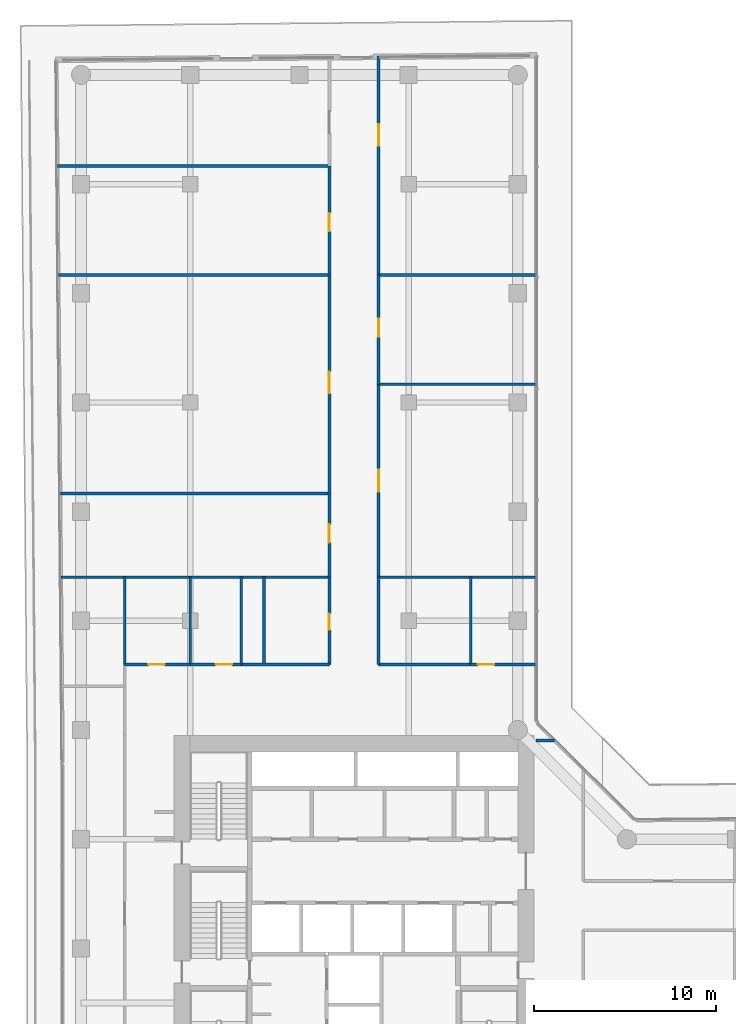
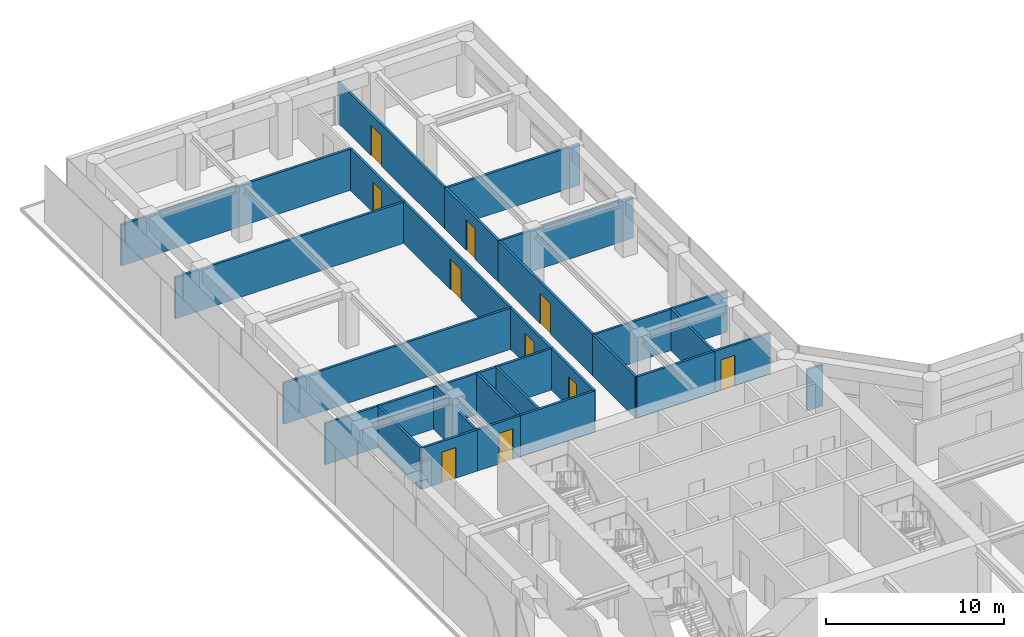
# One storey, part 24 of 28: 26 walls, 10 doors, 10 openings.
"""IFC4 building model written with IfcOpenShell, lengths in metres."""

from ifc_helpers import new_model, si_unit, direction, frame, frame_2d, origin, place, context, subcontext, project, spatial, rectangle, extrude, material, layer, layer_set, type_object, element, fill, save


model = new_model("IFC4")

# Units and contexts
model_context = context("Model", 3, precision=1e-05, world=origin(), true_north=direction((0.0, 1.0)))
body_context = subcontext(model_context, "Body", "Model", "MODEL_VIEW")
ifc_project = project(units=[si_unit("LENGTHUNIT", "METRE"), si_unit("AREAUNIT", "SQUARE_METRE"), si_unit("VOLUMEUNIT", "CUBIC_METRE"), si_unit("PLANEANGLEUNIT", "RADIAN"), si_unit("MASSUNIT", "GRAM", prefix="KILO")], contexts=[model_context])

# Site, building, storey
site_placement = place(None, origin())
site = spatial("IfcSite", under=ifc_project, at=site_placement, CompositionType="ELEMENT")
building_placement = place(site_placement, origin())
building = spatial("IfcBuilding", under=site, at=building_placement, Name="Welwitschia Terrace Campus", CompositionType="ELEMENT")
storey_placement = place(building_placement, frame((0.0, 0.0, 54.199951171875)))
storey = spatial("IfcBuildingStorey", under=building, at=storey_placement, Name="L12", CompositionType="ELEMENT", Elevation=54.199951171875)

# Walls
ifc_material_1 = material(Name="Gypsum board on steel studs", Category="steel")
ifc_layer = layer(ifc_material_1, 0.14990234375)
ifc_layer_set = layer_set([ifc_layer], Name="Gypsum board on steel studs")
wall_type = type_object("IfcWallType", Name="Corridor partition 150 EI 30", PredefinedType="PARTITIONING", material=ifc_layer_set)
wall_1_placement = place(storey_placement, frame((-1.2900390625, 57.0, 0.0), z_axis=(0.0, 0.0, 1.0), x_axis=(1.0, 0.0, 0.0)))
element("IfcWall", 1, at=wall_1_placement, inside=storey, type_object=wall_type, Name="Partition", PredefinedType="PARTITIONING", context=body_context, shape_type="SweptSolid", body=[
    extrude(rectangle(XDim=14.93994140625, YDim=0.14990234375, at=frame_2d((7.469970703125, 0.0))), origin(), (0.0, 0.0, 1.0), 2.830078125),
])
wall_2_placement = place(storey_placement, frame((-1.239990234375, 51.0, 0.0), z_axis=(0.0, 0.0, 1.0), x_axis=(1.0, 0.0, 0.0)))
element("IfcWall", 2, at=wall_2_placement, inside=storey, type_object=wall_type, Name="Partition", PredefinedType="PARTITIONING", context=body_context, shape_type="SweptSolid", body=[
    extrude(rectangle(XDim=14.889892578125, YDim=0.14990234375, at=frame_2d((7.44482421875, 0.0))), origin(), (0.0, 0.0, 1.0), 2.830078125),
])
wall_3_placement = place(storey_placement, frame((-1.139892578125, 39.0, 0.0), z_axis=(0.0, 0.0, 1.0), x_axis=(1.0, 0.0, 0.0)))
element("IfcWall", 3, at=wall_3_placement, inside=storey, type_object=wall_type, Name="Partition", PredefinedType="PARTITIONING", context=body_context, shape_type="SweptSolid", body=[
    extrude(rectangle(XDim=14.789794921875, YDim=0.14990234375, at=frame_2d((7.39501953125, 0.0))), origin(), (0.0, 0.0, 1.0), 2.830078125),
])
wall_4_placement = place(storey_placement, frame((-1.10009765625, 34.39990234375, 0.0), z_axis=(0.0, 0.0, 1.0), x_axis=(1.0, 0.0, 0.0)))
element("IfcWall", 4, at=wall_4_placement, inside=storey, type_object=wall_type, Name="Partition", PredefinedType="PARTITIONING", context=body_context, shape_type="SweptSolid", body=[
    extrude(rectangle(XDim=14.75, YDim=0.14990234375, at=frame_2d((7.375, 0.0))), origin(), (0.0, 0.0, 1.0), 2.830078125),
])
wall_5_placement = place(storey_placement, frame((2.39990234375, 29.60009765625, 0.0), z_axis=(0.0, 0.0, 1.0), x_axis=(0.0, 1.0, 0.0)))
element("IfcWall", 5, at=wall_5_placement, inside=storey, type_object=wall_type, Name="Partition", PredefinedType="PARTITIONING", context=body_context, shape_type="SweptSolid", body=[
    extrude(rectangle(XDim=4.7998046875, YDim=0.14990234375, at=frame_2d((2.39990234375, 0.0))), origin(), (0.0, 0.0, 1.0), 2.830078125),
])

# Wall, opening, door
wall_6_placement = place(storey_placement, frame((2.39990234375, 29.60009765625, 0.0), z_axis=(0.0, 0.0, 1.0), x_axis=(1.0, 0.0, 0.0)))
wall_6 = element("IfcWall", 6, at=wall_6_placement, inside=storey, type_object=wall_type, Name="Partition", PredefinedType="PARTITIONING", context=body_context, shape_type="SweptSolid", body=[
    extrude(rectangle(XDim=3.60009765625, YDim=0.14990234375, at=frame_2d((1.800048828125, 0.0))), origin(), (0.0, 0.0, 1.0), 2.830078125),
])
opening_1_placement = place(wall_6_placement, frame((1.300048828125, 0.0, 0.0)))
opening_1 = element("IfcOpeningElement", 7, at=opening_1_placement, cuts=wall_6, Name="Opening DI09", PredefinedType="OPENING", context=body_context, shape_type="SweptSolid", body=[
    extrude(rectangle(XDim=0.89990234375, YDim=2.10009765625, at=frame_2d((0.449951171875, 1.050048828125))), frame((0.0, 0.0849609375, 0.0), z_axis=(0.0, -1.0, 0.0), x_axis=(1.0, 0.0, 0.0)), (0.0, 0.0, 1.0), 0.169921875),
])
ifc_material_2 = material(Name="Timber veneered door", Category="wood")
door_type_1 = type_object("IfcDoorType", Name="Interior door DI09", OperationType="NOTDEFINED", PredefinedType="DOOR", material=ifc_material_2)
door_1_placement = place(opening_1_placement, origin())
door_1 = element("IfcDoor", 8, at=door_1_placement, inside=storey, type_object=door_type_1, Name="Door L12 268", OperationType="SINGLE_SWING_LEFT", OverallHeight=2.10009765625, OverallWidth=0.89990234375, PredefinedType="DOOR", context=body_context, shape_type="SweptSolid", body=[
    extrude(rectangle(XDim=0.89990234375, YDim=2.10009765625, at=frame_2d((0.449951171875, 1.050048828125))), frame((0.0, 0.02490234375, 0.0), z_axis=(0.0, -1.0, 0.0), x_axis=(1.0, 0.0, 0.0)), (0.0, 0.0, 1.0), 0.050048828125),
])
fill(opening_1, door_1)

# Wall
wall_7_placement = place(storey_placement, frame((6.0, 29.60009765625, 0.0), z_axis=(0.0, 0.0, 1.0), x_axis=(0.0, 1.0, 0.0)))
element("IfcWall", 9, at=wall_7_placement, inside=storey, type_object=wall_type, Name="Partition", PredefinedType="PARTITIONING", context=body_context, shape_type="SweptSolid", body=[
    extrude(rectangle(XDim=4.7998046875, YDim=0.14990234375, at=frame_2d((2.39990234375, 0.0))), origin(), (0.0, 0.0, 1.0), 2.830078125),
])

# Wall, opening, door
wall_8_placement = place(storey_placement, frame((6.0, 29.60009765625, 0.0), z_axis=(0.0, 0.0, 1.0), x_axis=(1.0, 0.0, 0.0)))
wall_8 = element("IfcWall", 10, at=wall_8_placement, inside=storey, type_object=wall_type, Name="Partition", PredefinedType="PARTITIONING", context=body_context, shape_type="SweptSolid", body=[
    extrude(rectangle(XDim=2.800048828125, YDim=0.14990234375, at=frame_2d((1.39990234375, 0.0))), origin(), (0.0, 0.0, 1.0), 2.830078125),
])
opening_2_placement = place(wall_8_placement, frame((1.39990234375, 0.0, 0.0)))
opening_2 = element("IfcOpeningElement", 11, at=opening_2_placement, cuts=wall_8, Name="Opening DI09", PredefinedType="OPENING", context=body_context, shape_type="SweptSolid", body=[
    extrude(rectangle(XDim=0.89990234375, YDim=2.10009765625, at=frame_2d((0.449951171875, 1.050048828125))), frame((0.0, 0.0849609375, 0.0), z_axis=(0.0, -1.0, 0.0), x_axis=(1.0, 0.0, 0.0)), (0.0, 0.0, 1.0), 0.169921875),
])
door_2_placement = place(opening_2_placement, origin())
door_2 = element("IfcDoor", 12, at=door_2_placement, inside=storey, type_object=door_type_1, Name="Door L12 269", OperationType="SINGLE_SWING_RIGHT", OverallHeight=2.10009765625, OverallWidth=0.89990234375, PredefinedType="DOOR", context=body_context, shape_type="SweptSolid", body=[
    extrude(rectangle(XDim=0.89990234375, YDim=2.10009765625, at=frame_2d((0.449951171875, 1.050048828125))), frame((0.0, 0.02490234375, 0.0), z_axis=(0.0, -1.0, 0.0), x_axis=(1.0, 0.0, 0.0)), (0.0, 0.0, 1.0), 0.050048828125),
])
fill(opening_2, door_2)

# Walls
wall_9_placement = place(storey_placement, frame((8.800048828125, 29.60009765625, 0.0), z_axis=(0.0, 0.0, 1.0), x_axis=(0.0, 1.0, 0.0)))
element("IfcWall", 13, at=wall_9_placement, inside=storey, type_object=wall_type, Name="Partition", PredefinedType="PARTITIONING", context=body_context, shape_type="SweptSolid", body=[
    extrude(rectangle(XDim=4.7998046875, YDim=0.14990234375, at=frame_2d((2.39990234375, 0.0))), origin(), (0.0, 0.0, 1.0), 2.830078125),
])
wall_10_placement = place(storey_placement, frame((8.800048828125, 29.60009765625, 0.0), z_axis=(0.0, 0.0, 1.0), x_axis=(1.0, 0.0, 0.0)))
element("IfcWall", 14, at=wall_10_placement, inside=storey, type_object=wall_type, Name="Partition", PredefinedType="PARTITIONING", context=body_context, shape_type="SweptSolid", body=[
    extrude(rectangle(XDim=4.849853515625, YDim=0.14990234375, at=frame_2d((2.4248046875, 0.0))), origin(), (0.0, 0.0, 1.0), 2.830078125),
])
wall_11_placement = place(storey_placement, frame((10.050048828125, 29.60009765625, 0.0), z_axis=(0.0, 0.0, 1.0), x_axis=(0.0, 1.0, 0.0)))
element("IfcWall", 15, at=wall_11_placement, inside=storey, type_object=wall_type, Name="Partition", PredefinedType="PARTITIONING", context=body_context, shape_type="SweptSolid", body=[
    extrude(rectangle(XDim=4.7998046875, YDim=0.14990234375, at=frame_2d((2.39990234375, 0.0))), origin(), (0.0, 0.0, 1.0), 2.830078125),
])

# Wall, opening, door
wall_12_placement = place(storey_placement, frame((13.64990234375, 29.60009765625, 0.0), z_axis=(0.0, 0.0, 1.0), x_axis=(0.0, 1.0, 0.0)))
wall_12 = element("IfcWall", 16, at=wall_12_placement, inside=storey, type_object=wall_type, Name="Partition", PredefinedType="PARTITIONING", context=body_context, shape_type="SweptSolid", body=[
    extrude(rectangle(XDim=4.7998046875, YDim=0.14990234375, at=frame_2d((2.39990234375, 0.0))), origin(), (0.0, 0.0, 1.0), 2.830078125),
])
opening_3_placement = place(wall_12_placement, frame((1.89990234375, 0.0, 0.0)))
opening_3 = element("IfcOpeningElement", 17, at=opening_3_placement, cuts=wall_12, Name="Opening DI09", PredefinedType="OPENING", context=body_context, shape_type="SweptSolid", body=[
    extrude(rectangle(XDim=0.89990234375, YDim=2.10009765625, at=frame_2d((0.449951171875, 1.050048828125))), frame((0.0, 0.0849609375, 0.0), z_axis=(0.0, -1.0, 0.0), x_axis=(1.0, 0.0, 0.0)), (0.0, 0.0, 1.0), 0.169921875),
])
door_3_placement = place(opening_3_placement, origin())
door_3 = element("IfcDoor", 18, at=door_3_placement, inside=storey, type_object=door_type_1, Name="Door L12 270", OperationType="SINGLE_SWING_LEFT", OverallHeight=2.10009765625, OverallWidth=0.89990234375, PredefinedType="DOOR", context=body_context, shape_type="SweptSolid", body=[
    extrude(rectangle(XDim=0.89990234375, YDim=2.10009765625, at=frame_2d((0.449951171875, 1.050048828125))), frame((0.0, 0.02490234375, 0.0), z_axis=(0.0, -1.0, 0.0), x_axis=(1.0, 0.0, 0.0)), (0.0, 0.0, 1.0), 0.050048828125),
])
fill(opening_3, door_3)

wall_13_placement = place(storey_placement, frame((13.64990234375, 34.39990234375, 0.0), z_axis=(0.0, 0.0, 1.0), x_axis=(0.0, 1.0, 0.0)))
wall_13 = element("IfcWall", 19, at=wall_13_placement, inside=storey, type_object=wall_type, Name="Partition", PredefinedType="PARTITIONING", context=body_context, shape_type="SweptSolid", body=[
    extrude(rectangle(XDim=4.60009765625, YDim=0.14990234375, at=frame_2d((2.300048828125, 0.0))), origin(), (0.0, 0.0, 1.0), 2.830078125),
])
opening_4_placement = place(wall_13_placement, frame((1.89990234375, 0.0, 0.0)))
opening_4 = element("IfcOpeningElement", 20, at=opening_4_placement, cuts=wall_13, Name="Opening DI10", PredefinedType="OPENING", context=body_context, shape_type="SweptSolid", body=[
    extrude(rectangle(XDim=1.0, YDim=2.10009765625, at=frame_2d((0.5, 1.050048828125))), frame((0.0, 0.0849609375, 0.0), z_axis=(0.0, -1.0, 0.0), x_axis=(1.0, 0.0, 0.0)), (0.0, 0.0, 1.0), 0.169921875),
])
ifc_material_3 = material(Name="Timber veneered door", Category="wood")
door_type_2 = type_object("IfcDoorType", Name="Interior door DI10", OperationType="NOTDEFINED", PredefinedType="DOOR", material=ifc_material_3)
door_4_placement = place(opening_4_placement, origin())
door_4 = element("IfcDoor", 21, at=door_4_placement, inside=storey, type_object=door_type_2, Name="Door L12 271", OperationType="SINGLE_SWING_RIGHT", OverallHeight=2.10009765625, OverallWidth=1.0, PredefinedType="DOOR", context=body_context, shape_type="SweptSolid", body=[
    extrude(rectangle(XDim=1.0, YDim=2.10009765625, at=frame_2d((0.5, 1.050048828125))), frame((0.0, 0.02490234375, 0.0), z_axis=(0.0, -1.0, 0.0), x_axis=(1.0, 0.0, 0.0)), (0.0, 0.0, 1.0), 0.050048828125),
])
fill(opening_4, door_4)

wall_14_placement = place(storey_placement, frame((13.64990234375, 39.0, 0.0), z_axis=(0.0, 0.0, 1.0), x_axis=(0.0, 1.0, 0.0)))
wall_14 = element("IfcWall", 22, at=wall_14_placement, inside=storey, type_object=wall_type, Name="Partition", PredefinedType="PARTITIONING", context=body_context, shape_type="SweptSolid", body=[
    extrude(rectangle(XDim=12.0, YDim=0.14990234375, at=frame_2d((6.0, 0.0))), origin(), (0.0, 0.0, 1.0), 2.830078125),
])
opening_5_placement = place(wall_14_placement, frame((5.5, 0.0, 0.0)))
opening_5 = element("IfcOpeningElement", 23, at=opening_5_placement, cuts=wall_14, Name="Opening DI12", PredefinedType="OPENING", context=body_context, shape_type="SweptSolid", body=[
    extrude(rectangle(XDim=1.199951171875, YDim=2.10009765625, at=frame_2d((0.60009765625, 1.050048828125))), frame((0.0, 0.0849609375, 0.0), z_axis=(0.0, -1.0, 0.0), x_axis=(1.0, 0.0, 0.0)), (0.0, 0.0, 1.0), 0.169921875),
])
ifc_material_4 = material(Name="Timber veneered door", Category="wood")
door_type_3 = type_object("IfcDoorType", Name="Interior door DI12", OperationType="NOTDEFINED", PredefinedType="DOOR", material=ifc_material_4)
door_5_placement = place(opening_5_placement, origin())
door_5 = element("IfcDoor", 24, at=door_5_placement, inside=storey, type_object=door_type_3, Name="Door L12 272", OperationType="SINGLE_SWING_LEFT", OverallHeight=2.10009765625, OverallWidth=1.199951171875, PredefinedType="DOOR", context=body_context, shape_type="SweptSolid", body=[
    extrude(rectangle(XDim=1.199951171875, YDim=2.10009765625, at=frame_2d((0.60009765625, 1.050048828125))), frame((0.0, 0.02490234375, 0.0), z_axis=(0.0, -1.0, 0.0), x_axis=(1.0, 0.0, 0.0)), (0.0, 0.0, 1.0), 0.050048828125),
])
fill(opening_5, door_5)

wall_15_placement = place(storey_placement, frame((13.64990234375, 51.0, 0.0), z_axis=(0.0, 0.0, 1.0), x_axis=(0.0, 1.0, 0.0)))
wall_15 = element("IfcWall", 25, at=wall_15_placement, inside=storey, type_object=wall_type, Name="Partition", PredefinedType="PARTITIONING", context=body_context, shape_type="SweptSolid", body=[
    extrude(rectangle(XDim=6.0, YDim=0.14990234375, at=frame_2d((3.0, 0.0))), origin(), (0.0, 0.0, 1.0), 2.830078125),
])
opening_6_placement = place(wall_15_placement, frame((2.39990234375, 0.0, 0.0)))
opening_6 = element("IfcOpeningElement", 26, at=opening_6_placement, cuts=wall_15, Name="Opening DI10", PredefinedType="OPENING", context=body_context, shape_type="SweptSolid", body=[
    extrude(rectangle(XDim=1.0, YDim=2.10009765625, at=frame_2d((0.5, 1.050048828125))), frame((0.0, 0.0849609375, 0.0), z_axis=(0.0, -1.0, 0.0), x_axis=(1.0, 0.0, 0.0)), (0.0, 0.0, 1.0), 0.169921875),
])
door_6_placement = place(opening_6_placement, origin())
door_6 = element("IfcDoor", 27, at=door_6_placement, inside=storey, type_object=door_type_2, Name="Door L12 273", OperationType="SINGLE_SWING_RIGHT", OverallHeight=2.10009765625, OverallWidth=1.0, PredefinedType="DOOR", context=body_context, shape_type="SweptSolid", body=[
    extrude(rectangle(XDim=1.0, YDim=2.10009765625, at=frame_2d((0.5, 1.050048828125))), frame((0.0, 0.02490234375, 0.0), z_axis=(0.0, -1.0, 0.0), x_axis=(1.0, 0.0, 0.0)), (0.0, 0.0, 1.0), 0.050048828125),
])
fill(opening_6, door_6)

# Walls
wall_16_placement = place(storey_placement, frame((16.35009765625, 29.60009765625, 0.0), z_axis=(0.0, 0.0, 1.0), x_axis=(0.0, 1.0, 0.0)))
element("IfcWall", 28, at=wall_16_placement, inside=storey, type_object=wall_type, Name="Partition", PredefinedType="PARTITIONING", context=body_context, shape_type="SweptSolid", body=[
    extrude(rectangle(XDim=4.7998046875, YDim=0.14990234375, at=frame_2d((2.39990234375, 0.0))), origin(), (0.0, 0.0, 1.0), 2.830078125),
])
wall_17_placement = place(storey_placement, frame((16.35009765625, 29.60009765625, 0.0), z_axis=(0.0, 0.0, 1.0), x_axis=(1.0, 0.0, 0.0)))
element("IfcWall", 29, at=wall_17_placement, inside=storey, type_object=wall_type, Name="Partition", PredefinedType="PARTITIONING", context=body_context, shape_type="SweptSolid", body=[
    extrude(rectangle(XDim=5.059814453125, YDim=0.14990234375, at=frame_2d((2.52978515625, 0.0))), origin(), (0.0, 0.0, 1.0), 2.830078125),
])
wall_18_placement = place(storey_placement, frame((16.35009765625, 34.39990234375, 0.0), z_axis=(0.0, 0.0, 1.0), x_axis=(1.0, 0.0, 0.0)))
element("IfcWall", 30, at=wall_18_placement, inside=storey, type_object=wall_type, Name="Partition", PredefinedType="PARTITIONING", context=body_context, shape_type="SweptSolid", body=[
    extrude(rectangle(XDim=8.659912109375, YDim=0.14990234375, at=frame_2d((4.330078125, 0.0))), origin(), (0.0, 0.0, 1.0), 2.830078125),
])

# Wall, opening, door
wall_19_placement = place(storey_placement, frame((16.35009765625, 45.0, 0.0), z_axis=(0.0, 0.0, 1.0), x_axis=(0.0, -1.0, 0.0)))
wall_19 = element("IfcWall", 31, at=wall_19_placement, inside=storey, type_object=wall_type, Name="Partition", PredefinedType="PARTITIONING", context=body_context, shape_type="SweptSolid", body=[
    extrude(rectangle(XDim=10.60009765625, YDim=0.14990234375, at=frame_2d((5.300048828125, 0.0))), origin(), (0.0, 0.0, 1.0), 2.830078125),
])
opening_7_placement = place(wall_19_placement, frame((4.699951171875, 0.0, 0.0)))
opening_7 = element("IfcOpeningElement", 32, at=opening_7_placement, cuts=wall_19, Name="Opening DI12", PredefinedType="OPENING", context=body_context, shape_type="SweptSolid", body=[
    extrude(rectangle(XDim=1.199951171875, YDim=2.10009765625, at=frame_2d((0.60009765625, 1.050048828125))), frame((0.0, 0.0849609375, 0.0), z_axis=(0.0, -1.0, 0.0), x_axis=(1.0, 0.0, 0.0)), (0.0, 0.0, 1.0), 0.169921875),
])
door_7_placement = place(opening_7_placement, origin())
door_7 = element("IfcDoor", 33, at=door_7_placement, inside=storey, type_object=door_type_3, Name="Door L12 275", OperationType="SINGLE_SWING_RIGHT", OverallHeight=2.10009765625, OverallWidth=1.199951171875, PredefinedType="DOOR", context=body_context, shape_type="SweptSolid", body=[
    extrude(rectangle(XDim=1.199951171875, YDim=2.10009765625, at=frame_2d((0.60009765625, 1.050048828125))), frame((0.0, 0.02490234375, 0.0), z_axis=(0.0, -1.0, 0.0), x_axis=(1.0, 0.0, 0.0)), (0.0, 0.0, 1.0), 0.050048828125),
])
fill(opening_7, door_7)

# Wall
wall_20_placement = place(storey_placement, frame((16.35009765625, 45.0, 0.0), z_axis=(0.0, 0.0, 1.0), x_axis=(1.0, 0.0, 0.0)))
element("IfcWall", 34, at=wall_20_placement, inside=storey, type_object=wall_type, Name="Partition", PredefinedType="PARTITIONING", context=body_context, shape_type="SweptSolid", body=[
    extrude(rectangle(XDim=8.659912109375, YDim=0.14990234375, at=frame_2d((4.330078125, 0.0))), origin(), (0.0, 0.0, 1.0), 2.830078125),
])

# Wall, opening, door
wall_21_placement = place(storey_placement, frame((16.35009765625, 51.0, 0.0), z_axis=(0.0, 0.0, 1.0), x_axis=(0.0, -1.0, 0.0)))
wall_21 = element("IfcWall", 35, at=wall_21_placement, inside=storey, type_object=wall_type, Name="Partition", PredefinedType="PARTITIONING", context=body_context, shape_type="SweptSolid", body=[
    extrude(rectangle(XDim=6.0, YDim=0.14990234375, at=frame_2d((3.0, 0.0))), origin(), (0.0, 0.0, 1.0), 2.830078125),
])
opening_8_placement = place(wall_21_placement, frame((2.39990234375, 0.0, 0.0)))
opening_8 = element("IfcOpeningElement", 36, at=opening_8_placement, cuts=wall_21, Name="Opening DI10", PredefinedType="OPENING", context=body_context, shape_type="SweptSolid", body=[
    extrude(rectangle(XDim=1.0, YDim=2.10009765625, at=frame_2d((0.5, 1.050048828125))), frame((0.0, 0.0849609375, 0.0), z_axis=(0.0, -1.0, 0.0), x_axis=(1.0, 0.0, 0.0)), (0.0, 0.0, 1.0), 0.169921875),
])
door_8_placement = place(opening_8_placement, origin())
door_8 = element("IfcDoor", 37, at=door_8_placement, inside=storey, type_object=door_type_2, Name="Door L12 276", OperationType="SINGLE_SWING_LEFT", OverallHeight=2.10009765625, OverallWidth=1.0, PredefinedType="DOOR", context=body_context, shape_type="SweptSolid", body=[
    extrude(rectangle(XDim=1.0, YDim=2.10009765625, at=frame_2d((0.5, 1.050048828125))), frame((0.0, 0.02490234375, 0.0), z_axis=(0.0, -1.0, 0.0), x_axis=(1.0, 0.0, 0.0)), (0.0, 0.0, 1.0), 0.050048828125),
])
fill(opening_8, door_8)

# Wall
wall_22_placement = place(storey_placement, frame((16.35009765625, 51.0, 0.0), z_axis=(0.0, 0.0, 1.0), x_axis=(1.0, 0.0, 0.0)))
element("IfcWall", 38, at=wall_22_placement, inside=storey, type_object=wall_type, Name="Partition", PredefinedType="PARTITIONING", context=body_context, shape_type="SweptSolid", body=[
    extrude(rectangle(XDim=8.659912109375, YDim=0.14990234375, at=frame_2d((4.330078125, 0.0))), origin(), (0.0, 0.0, 1.0), 2.830078125),
])

# Wall, opening, door
wall_23_placement = place(storey_placement, frame((16.35009765625, 63.03662109375, 0.0), z_axis=(0.0, 0.0, 1.0), x_axis=(0.0, -1.0, 0.0)))
wall_23 = element("IfcWall", 39, at=wall_23_placement, inside=storey, type_object=wall_type, Name="Partition", PredefinedType="PARTITIONING", context=body_context, shape_type="SweptSolid", body=[
    extrude(rectangle(XDim=12.03662109375, YDim=0.14990234375, at=frame_2d((6.018310546875, 0.0))), origin(), (0.0, 0.0, 1.0), 2.830078125),
])
opening_9_placement = place(wall_23_placement, frame((3.736572265625, 0.0, 0.0)))
opening_9 = element("IfcOpeningElement", 40, at=opening_9_placement, cuts=wall_23, Name="Opening DI12", PredefinedType="OPENING", context=body_context, shape_type="SweptSolid", body=[
    extrude(rectangle(XDim=1.199951171875, YDim=2.10009765625, at=frame_2d((0.60009765625, 1.050048828125))), frame((0.0, 0.0849609375, 0.0), z_axis=(0.0, -1.0, 0.0), x_axis=(1.0, 0.0, 0.0)), (0.0, 0.0, 1.0), 0.169921875),
])
door_9_placement = place(opening_9_placement, origin())
door_9 = element("IfcDoor", 41, at=door_9_placement, inside=storey, type_object=door_type_3, Name="Door L12 277", OperationType="SINGLE_SWING_RIGHT", OverallHeight=2.10009765625, OverallWidth=1.199951171875, PredefinedType="DOOR", context=body_context, shape_type="SweptSolid", body=[
    extrude(rectangle(XDim=1.199951171875, YDim=2.10009765625, at=frame_2d((0.60009765625, 1.050048828125))), frame((0.0, 0.02490234375, 0.0), z_axis=(0.0, -1.0, 0.0), x_axis=(1.0, 0.0, 0.0)), (0.0, 0.0, 1.0), 0.050048828125),
])
fill(opening_9, door_9)

# Wall
wall_24_placement = place(storey_placement, frame((21.409912109375, 29.60009765625, 0.0), z_axis=(0.0, 0.0, 1.0), x_axis=(0.0, 1.0, 0.0)))
element("IfcWall", 42, at=wall_24_placement, inside=storey, type_object=wall_type, Name="Partition", PredefinedType="PARTITIONING", context=body_context, shape_type="SweptSolid", body=[
    extrude(rectangle(XDim=4.7998046875, YDim=0.14990234375, at=frame_2d((2.39990234375, 0.0))), origin(), (0.0, 0.0, 1.0), 2.830078125),
])

# Wall, opening, door
wall_25_placement = place(storey_placement, frame((21.409912109375, 29.60009765625, 0.0), z_axis=(0.0, 0.0, 1.0), x_axis=(1.0, 0.0, 0.0)))
wall_25 = element("IfcWall", 43, at=wall_25_placement, inside=storey, type_object=wall_type, Name="Partition", PredefinedType="PARTITIONING", context=body_context, shape_type="SweptSolid", body=[
    extrude(rectangle(XDim=3.60009765625, YDim=0.14990234375, at=frame_2d((1.800048828125, 0.0))), origin(), (0.0, 0.0, 1.0), 2.830078125),
])
opening_10_placement = place(wall_25_placement, frame((0.39990234375, 0.0, 0.0)))
opening_10 = element("IfcOpeningElement", 44, at=opening_10_placement, cuts=wall_25, Name="Opening DI09", PredefinedType="OPENING", context=body_context, shape_type="SweptSolid", body=[
    extrude(rectangle(XDim=0.89990234375, YDim=2.10009765625, at=frame_2d((0.449951171875, 1.050048828125))), frame((0.0, 0.0849609375, 0.0), z_axis=(0.0, -1.0, 0.0), x_axis=(1.0, 0.0, 0.0)), (0.0, 0.0, 1.0), 0.169921875),
])
door_10_placement = place(opening_10_placement, origin())
door_10 = element("IfcDoor", 45, at=door_10_placement, inside=storey, type_object=door_type_1, Name="Door L12 278", OperationType="SINGLE_SWING_LEFT", OverallHeight=2.10009765625, OverallWidth=0.89990234375, PredefinedType="DOOR", context=body_context, shape_type="SweptSolid", body=[
    extrude(rectangle(XDim=0.89990234375, YDim=2.10009765625, at=frame_2d((0.449951171875, 1.050048828125))), frame((0.0, 0.02490234375, 0.0), z_axis=(0.0, -1.0, 0.0), x_axis=(1.0, 0.0, 0.0)), (0.0, 0.0, 1.0), 0.050048828125),
])
fill(opening_10, door_10)

# Wall
wall_26_placement = place(storey_placement, frame((25.0, 25.429931640625, 0.0), z_axis=(0.0, 0.0, 1.0), x_axis=(1.0, 0.0, 0.0)))
element("IfcWall", 46, at=wall_26_placement, inside=storey, type_object=wall_type, Name="Partition", PredefinedType="PARTITIONING", context=body_context, shape_type="SweptSolid", body=[
    extrude(rectangle(XDim=1.010009765625, YDim=0.14990234375, at=frame_2d((0.5048828125, 0.0))), origin(), (0.0, 0.0, 1.0), 2.830078125),
])

save(model, "model.ifc")
